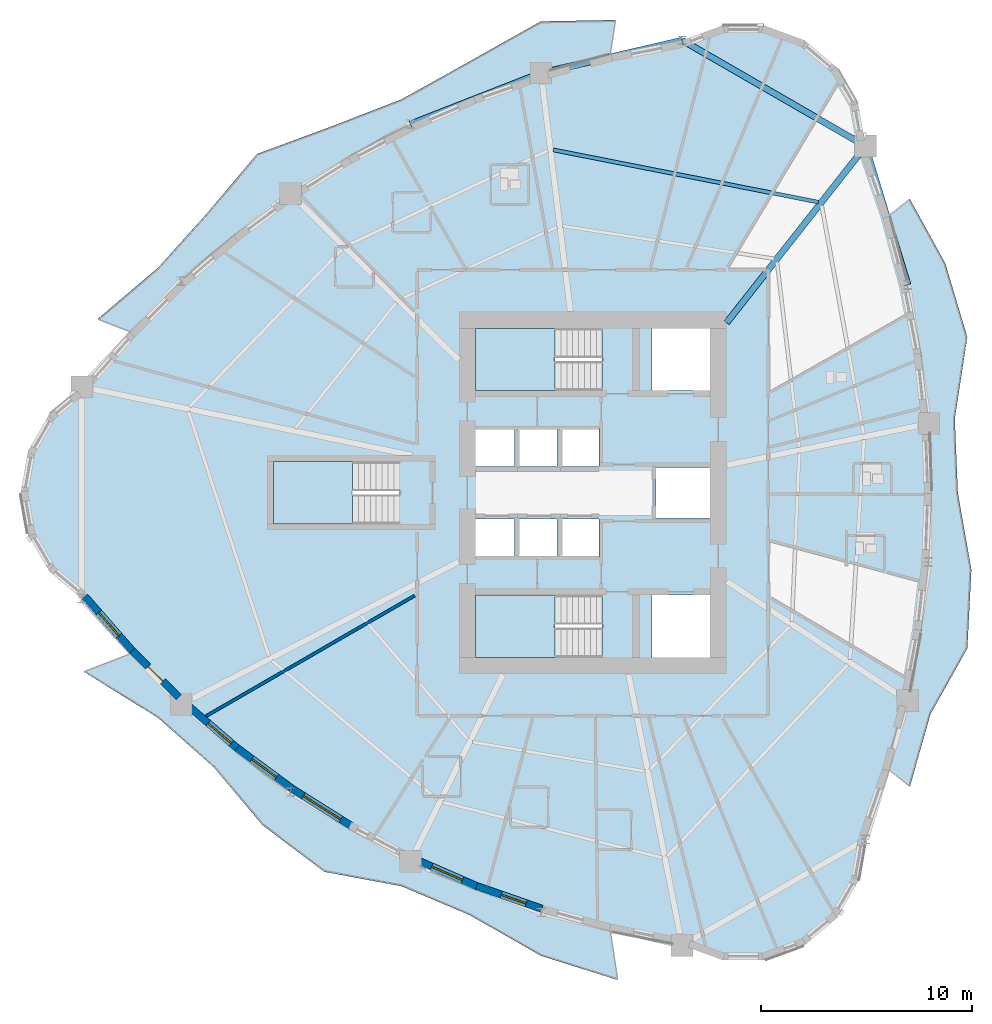
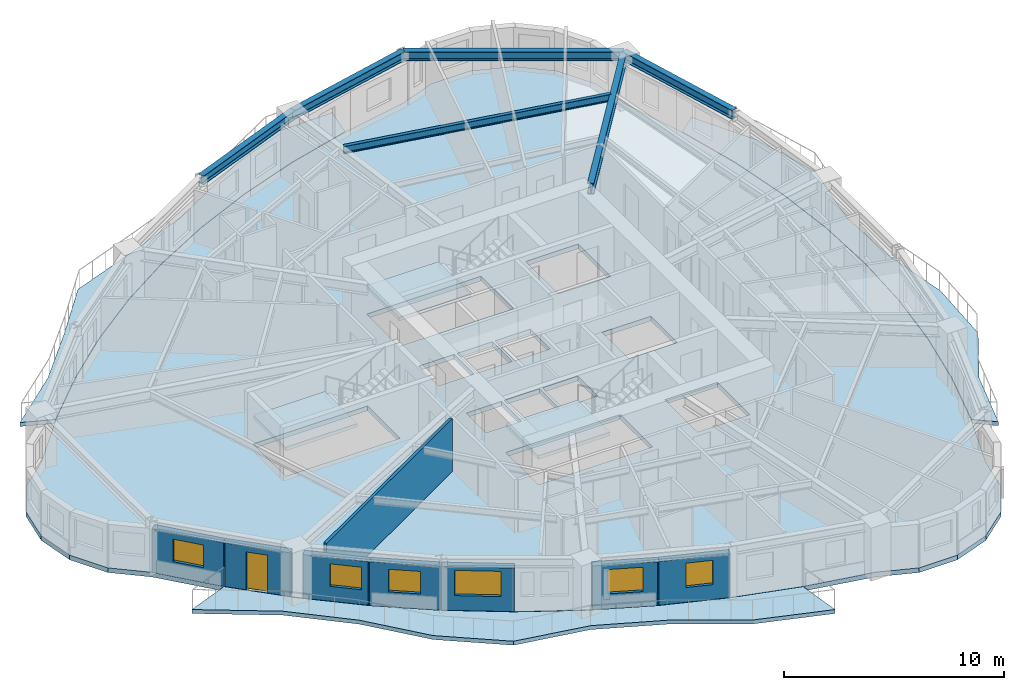
# One storey, part 2 of 13: 8 walls, 7 slabs, 6 beams, 6 windows, 1 door, 7 openings, 3 elements without a shape of their own.
"""IFC4 building model written with IfcOpenShell, lengths in metres."""

from ifc_helpers import new_model, si_unit, direction, frame, frame_2d, origin, origin_2d, place, context, subcontext, project, spatial, polyline, rectangle, i_section, outline, extrude, source, transform, mapped, material, layer, layer_set, material_profile, profile_set, type_object, element, fill, aggregate, save


model = new_model("IFC4")

# Units and contexts
model_context = context("Model", 3, precision=1e-05, world=origin(), true_north=direction((0.0, 1.0)))
body_context = subcontext(model_context, "Body", "Model", "MODEL_VIEW")
ifc_project = project(units=[si_unit("LENGTHUNIT", "METRE"), si_unit("AREAUNIT", "SQUARE_METRE"), si_unit("VOLUMEUNIT", "CUBIC_METRE"), si_unit("PLANEANGLEUNIT", "RADIAN"), si_unit("MASSUNIT", "GRAM", prefix="KILO")], contexts=[model_context])

# Site, building, storey
site_placement = place(None, origin())
site = spatial("IfcSite", under=ifc_project, at=site_placement, CompositionType="ELEMENT")
building_placement = place(site_placement, origin())
building = spatial("IfcBuilding", under=site, at=building_placement, Name="Qafzar Sky-Pleat Residences", CompositionType="ELEMENT")
storey_placement = place(building_placement, frame((0.0, 0.0, 46.199951171875)))
storey = spatial("IfcBuildingStorey", under=building, at=storey_placement, Name="L13", CompositionType="ELEMENT", Elevation=46.199951171875)

# Beams
ifc_material_1 = material(Name="Steel S355", Category="steel")
ifc_material_profile_1 = material_profile(ifc_material_1, i_section(OverallWidth=0.300048828125, OverallDepth=0.5, WebThickness=0.014404296875, FlangeThickness=0.028076171875, FilletRadius=0.027099609375, at=origin_2d()), Name="HEB 500")
ifc_profile_set_1 = profile_set([ifc_material_profile_1], Name="Steel S355")
beam_type_1 = type_object("IfcBeamType", Name="BM-SPAN-HEB500", PredefinedType="SPANDREL", material=ifc_profile_set_1)
shared_shape_1 = source(origin(), body_context, "Body", "SweptSolid", [
    extrude(i_section(OverallWidth=0.300048828125, OverallDepth=0.5, WebThickness=0.014404296875, FlangeThickness=0.028076171875, FilletRadius=0.027099609375, at=origin_2d()), origin(), (0.0, 0.0, 1.0), 10.0458984375),
])
beam_1_placement = place(storey_placement, frame((43.2900390625, 42.437255859375, 2.68798828125), z_axis=(-0.866024107753, 0.500002244785, 0.0), x_axis=(-0.500002244785, -0.866024107753, 0.0)))
element("IfcBeam", 1, at=beam_1_placement, inside=storey, type_object=beam_type_1, Name="L13 Perimeter Spandrel Beam 13", PredefinedType="SPANDREL", context=body_context, shape_type="MappedRepresentation", body=[
    mapped(shared_shape_1, transform((0.0, 0.0, 0.0), x_axis=(1.0, 0.0, 0.0), y_axis=(0.0, 1.0, 0.0), z_axis=(0.0, 0.0, 1.0), scale=1.0)),
])
shared_shape_2 = source(origin(), body_context, "Body", "SweptSolid", [
    extrude(i_section(OverallWidth=0.300048828125, OverallDepth=0.5, WebThickness=0.014404296875, FlangeThickness=0.028076171875, FilletRadius=0.027099609375, at=origin_2d()), origin(), (0.0, 0.0, 1.0), 6.8720703125),
])
for number, where, z_axis, x_axis, name in (
    (2, (45.288818359375, 35.8623046875, 2.68798828125), (-0.290856244324, 0.956766766322, 0.0), (-0.956766766322, -0.290856244324, 0.0), "L13 Perimeter Spandrel Beam 12"),
    (3, (34.590087890625, 47.460205078125, 2.68798828125), (-0.974016228914, -0.226478223705, 0.0), (0.226478223705, -0.974016228914, 0.0), "L13 Perimeter Spandrel Beam 14"),
):
    element("IfcBeam", number, at=place(storey_placement, frame(where, z_axis=z_axis, x_axis=x_axis)), inside=storey, type_object=beam_type_1, Name=name, PredefinedType="SPANDREL", context=body_context, shape_type="MappedRepresentation", body=[
        mapped(shared_shape_2, transform((0.0, 0.0, 0.0), x_axis=(1.0, 0.0, 0.0), y_axis=(0.0, 1.0, 0.0), z_axis=(0.0, 0.0, 1.0), scale=1.0)),
    ])
shared_shape_3 = source(origin(), body_context, "Body", "SweptSolid", [
    extrude(i_section(OverallWidth=0.300048828125, OverallDepth=0.5, WebThickness=0.014404296875, FlangeThickness=0.028076171875, FilletRadius=0.027099609375, at=origin_2d()), origin(), (0.0, 0.0, 1.0), 6.650390625),
])
beam_2_placement = place(storey_placement, frame((27.896484375, 45.90380859375, 2.68798828125), z_axis=(-0.931317505809, -0.364208324141, 0.0), x_axis=(0.364208324141, -0.931317505809, 0.0)))
element("IfcBeam", 4, at=beam_2_placement, inside=storey, type_object=beam_type_1, Name="L13 Perimeter Spandrel Beam 15", PredefinedType="SPANDREL", context=body_context, shape_type="MappedRepresentation", body=[
    mapped(shared_shape_3, transform((0.0, 0.0, 0.0), x_axis=(1.0, 0.0, 0.0), y_axis=(0.0, 1.0, 0.0), z_axis=(0.0, 0.0, 1.0), scale=1.0)),
])
ifc_material_profile_2 = material_profile(ifc_material_1, i_section(OverallWidth=0.300048828125, OverallDepth=0.60009765625, WebThickness=0.015380859375, FlangeThickness=0.030029296875, FilletRadius=0.027099609375, at=origin_2d()), Name="HEB 600")
ifc_profile_set_2 = profile_set([ifc_material_profile_2], Name="Steel S355")
beam_type_2 = type_object("IfcBeamType", Name="BM-GIRD-HEB600", PredefinedType="BEAM", material=ifc_profile_set_2)
shared_shape_4 = source(origin(), body_context, "Body", "SweptSolid", [
    extrude(i_section(OverallWidth=0.300048828125, OverallDepth=0.60009765625, WebThickness=0.015380859375, FlangeThickness=0.030029296875, FilletRadius=0.027099609375, at=origin_2d()), origin(), (0.0, 0.0, 1.0), 10.65380859375),
])
beam_3_placement = place(storey_placement, frame((43.2900390625, 42.437255859375, 2.637939453125), z_axis=(-0.618564121577, -0.785734323737, 0.0), x_axis=(0.785734323737, -0.618564121577, 0.0)))
element("IfcBeam", 5, at=beam_3_placement, inside=storey, type_object=beam_type_2, Name="L13 Radial Floor Girder 13", PredefinedType="BEAM", context=body_context, shape_type="MappedRepresentation", body=[
    mapped(shared_shape_4, transform((0.0, 0.0, 0.0), x_axis=(1.0, 0.0, 0.0), y_axis=(0.0, 1.0, 0.0), z_axis=(0.0, 0.0, 1.0), scale=1.0)),
])
ifc_material_profile_3 = material_profile(ifc_material_1, i_section(OverallWidth=0.179931640625, OverallDepth=0.39990234375, WebThickness=0.008544921875, FlangeThickness=0.013427734375, FilletRadius=0.02099609375, at=origin_2d()), Name="IPE 400")
ifc_profile_set_3 = profile_set([ifc_material_profile_3], Name="Steel S355")
beam_type_3 = type_object("IfcBeamType", Name="BM-JST-IPE400", PredefinedType="JOIST", material=ifc_profile_set_3)
shared_shape_5 = source(origin(), body_context, "Body", "SweptSolid", [
    extrude(i_section(OverallWidth=0.179931640625, OverallDepth=0.39990234375, WebThickness=0.008544921875, FlangeThickness=0.013427734375, FilletRadius=0.02099609375, at=origin_2d()), origin(), (0.0, 0.0, 1.0), 12.815185546875),
])
beam_4_placement = place(storey_placement, frame((41.048583984375, 39.78466796875, 2.738037109375), z_axis=(-0.981160312163, 0.19319534631, 0.0), x_axis=(-0.19319534631, -0.981160312163, 0.0)))
element("IfcBeam", 6, at=beam_4_placement, inside=storey, type_object=beam_type_3, Name="L13 Outer Secondary Floor Joist 7", PredefinedType="JOIST", context=body_context, shape_type="MappedRepresentation", body=[
    mapped(shared_shape_5, transform((0.0, 0.0, 0.0), x_axis=(1.0, 0.0, 0.0), y_axis=(0.0, 1.0, 0.0), z_axis=(0.0, 0.0, 1.0), scale=1.0)),
])

# Slabs
ifc_material_2 = material(Name="Concrete C40/50", Category="concrete")
ifc_layer_1 = layer(ifc_material_2, 0.219970703125)
ifc_layer_set_1 = layer_set([ifc_layer_1], Name="Concrete C40/50")
slab_type_1 = type_object("IfcSlabType", Name="SLAB-BAL-220", PredefinedType="USERDEFINED", material=ifc_layer_set_1)
slab_1_placement = place(storey_placement, frame((0.0, 0.0, -0.219970703125)))
element("IfcSlab", 7, at=slab_1_placement, inside=storey, type_object=slab_type_1, Name="L13 Pleated Stone Balcony 1", ObjectType="BALCONY", PredefinedType="USERDEFINED", context=body_context, shape_type="SweptSolid", body=[
    extrude(outline(polyline([(45.29931640625, 16.1318359375), (45.9248046875, 19.4208984375), (46.2998046875, 22.71044921875), (46.425048828125, 26.0), (46.2998046875, 29.28955078125), (45.9248046875, 32.5791015625), (45.29931640625, 35.8681640625), (44.423583984375, 39.1572265625), (45.389892578125, 39.93115234375), (47.069580078125, 36.878173828125), (48.11279296875, 33.382080078125), (47.518310546875, 29.508544921875), (47.6630859375, 26.0), (48.305908203125, 22.349853515625), (48.11279296875, 18.617919921875), (46.37451171875, 15.518310546875), (45.389892578125, 12.06884765625), (44.423583984375, 12.8427734375), (45.29931640625, 16.1318359375)])), origin(), (0.0, 0.0, 1.0), 0.219970703125),
])
slab_2_placement = place(storey_placement, frame((0.0, 0.0, -0.219970703125)))
element("IfcSlab", 8, at=slab_2_placement, inside=storey, type_object=slab_type_1, Name="L13 Pleated Stone Balcony 2", ObjectType="BALCONY", PredefinedType="USERDEFINED", context=body_context, shape_type="SweptSolid", body=[
    extrude(outline(polyline([(27.896484375, 45.915771484375), (24.735107421875, 44.812744140625), (21.69873046875, 43.492919921875), (18.78759765625, 41.95654296875), (16.001220703125, 40.20361328125), (13.340087890625, 38.233642578125), (10.80419921875, 36.047607421875), (8.3935546875, 33.644775390625), (6.867431640625, 34.23974609375), (9.7353515625, 36.672119140625), (12.08251953125, 39.283203125), (14.427734375, 42.06591796875), (17.968505859375, 43.375), (21.279296875, 44.65771484375), (24.455078125, 46.426513671875), (27.8837890625, 48.353759765625), (31.430419921875, 48.421142578125), (31.1826171875, 46.802001953125), (27.896484375, 45.915771484375)])), origin(), (0.0, 0.0, 1.0), 0.219970703125),
])
slab_3_placement = place(storey_placement, frame((0.0, 0.0, -0.219970703125)))
element("IfcSlab", 9, at=slab_3_placement, inside=storey, type_object=slab_type_1, Name="L13 Pleated Stone Balcony 3", ObjectType="BALCONY", PredefinedType="USERDEFINED", context=body_context, shape_type="SweptSolid", body=[
    extrude(outline(polyline([(10.80419921875, 15.952392578125), (13.340087890625, 13.766357421875), (16.001220703125, 11.79638671875), (18.78759765625, 10.04345703125), (21.69873046875, 8.507080078125), (24.735107421875, 7.187255859375), (27.896484375, 6.084228515625), (31.1826171875, 5.197998046875), (31.53515625, 2.89404296875), (27.885986328125, 4.04638671875), (24.523681640625, 5.967529296875), (21.279296875, 7.34228515625), (17.6220703125, 8.02490234375), (14.68603515625, 10.23974609375), (12.3896484375, 12.97314453125), (9.7353515625, 15.327880859375), (6.221923828125, 17.508544921875), (8.3935546875, 18.355224609375), (10.80419921875, 15.952392578125)])), origin(), (0.0, 0.0, 1.0), 0.219970703125),
])
ifc_layer_2 = layer(ifc_material_2, 0.260009765625)
ifc_layer_set_2 = layer_set([ifc_layer_2], Name="Concrete C40/50")
slab_type_2 = type_object("IfcSlabType", Name="SLAB-FLR-260", PredefinedType="FLOOR", material=ifc_layer_set_2)
slab_4_placement = place(storey_placement, frame((0.0, 0.0, -0.260009765625)))
element("IfcSlab", 10, at=slab_4_placement, inside=storey, type_object=slab_type_2, Name="L13 Structural Floor Slab", PredefinedType="FLOOR", context=body_context, shape_type="SweptSolid", body=[
    extrude(outline(polyline([(6.1201171875, 31.02294921875), (4.576904296875, 29.728271484375), (3.56982421875, 27.983642578125), (3.219970703125, 26.0), (3.56982421875, 24.016357421875), (4.576904296875, 22.271728515625), (6.1201171875, 20.97705078125), (8.40478515625, 18.359619140625), (10.814697265625, 15.95849609375), (13.349365234375, 13.77392578125), (16.0087890625, 11.8056640625), (18.79345703125, 10.0537109375), (21.702880859375, 8.518310546875), (24.7373046875, 7.19921875), (27.896484375, 6.09619140625), (31.180908203125, 5.2099609375), (34.590087890625, 4.539794921875), (36.48291015625, 3.85107421875), (38.497314453125, 3.85107421875), (40.389892578125, 4.539794921875), (41.93310546875, 5.834716796875), (42.940185546875, 7.5791015625), (43.2900390625, 9.562744140625), (44.414306640625, 12.850341796875), (45.288818359375, 16.1376953125), (45.913330078125, 19.425048828125), (46.2880859375, 22.712646484375), (46.4130859375, 26.0), (46.2880859375, 29.287353515625), (45.913330078125, 32.574951171875), (45.288818359375, 35.8623046875), (44.414306640625, 39.149658203125), (43.2900390625, 42.437255859375), (42.940185546875, 44.4208984375), (41.93310546875, 46.165283203125), (40.389892578125, 47.460205078125), (38.497314453125, 48.14892578125), (36.48291015625, 48.14892578125), (34.590087890625, 47.460205078125), (31.180908203125, 46.7900390625), (27.896484375, 45.90380859375), (24.7373046875, 44.80078125), (21.702880859375, 43.481689453125), (18.79345703125, 41.9462890625), (16.0087890625, 40.1943359375), (13.349365234375, 38.22607421875), (10.814697265625, 36.04150390625), (8.40478515625, 33.640380859375), (6.1201171875, 31.02294921875)]), holes=[polyline([(30.797119140625, 21.14990234375), (24.800048828125, 21.14990234375), (24.800048828125, 18.199951171875), (30.797119140625, 18.199951171875), (30.797119140625, 21.14990234375)]), polyline([(30.797119140625, 33.800048828125), (24.800048828125, 33.800048828125), (24.800048828125, 30.85009765625), (30.797119140625, 30.85009765625), (30.797119140625, 33.800048828125)]), polyline([(21.197021484375, 27.47509765625), (15.199951171875, 27.47509765625), (15.199951171875, 24.52490234375), (21.197021484375, 24.52490234375), (21.197021484375, 27.47509765625)]), polyline([(24.800048828125, 22.949951171875), (26.64990234375, 22.949951171875), (26.64990234375, 24.75), (24.800048828125, 24.75), (24.800048828125, 22.949951171875)]), polyline([(26.800048828125, 22.949951171875), (28.64990234375, 22.949951171875), (28.64990234375, 24.75), (26.800048828125, 24.75), (26.800048828125, 22.949951171875)]), polyline([(28.800048828125, 22.949951171875), (30.64990234375, 22.949951171875), (30.64990234375, 24.75), (28.800048828125, 24.75), (28.800048828125, 22.949951171875)]), polyline([(24.800048828125, 27.25), (26.64990234375, 27.25), (26.64990234375, 29.050048828125), (24.800048828125, 29.050048828125), (24.800048828125, 27.25)]), polyline([(26.800048828125, 27.25), (28.64990234375, 27.25), (28.64990234375, 29.050048828125), (26.800048828125, 29.050048828125), (26.800048828125, 27.25)]), polyline([(28.800048828125, 27.25), (30.64990234375, 27.25), (30.64990234375, 29.050048828125), (28.800048828125, 29.050048828125), (28.800048828125, 27.25)]), polyline([(33.14990234375, 18.199951171875), (35.89990234375, 18.199951171875), (35.89990234375, 21.14990234375), (33.14990234375, 21.14990234375), (33.14990234375, 18.199951171875)]), polyline([(33.14990234375, 30.85009765625), (35.89990234375, 30.85009765625), (35.89990234375, 33.800048828125), (33.14990234375, 33.800048828125), (33.14990234375, 30.85009765625)]), polyline([(33.35009765625, 24.800048828125), (35.89990234375, 24.800048828125), (35.89990234375, 27.199951171875), (33.35009765625, 27.199951171875), (33.35009765625, 24.800048828125)])]), origin(), (0.0, 0.0, 1.0), 0.260009765625),
])

# Stair, slab
stair_type = type_object("IfcStairType", Name="STAIR-H320", PredefinedType="HALF_TURN_STAIR", material=ifc_material_2)
stair_1_placement = place(storey_placement, origin())
stair_1 = element("IfcStair", 11, at=stair_1_placement, inside=storey, type_object=stair_type, Name="L13 Protected Exit Stair ST1", PredefinedType="HALF_TURN_STAIR")
ifc_layer_3 = layer(ifc_material_2, 0.199951171875)
ifc_layer_set_3 = layer_set([ifc_layer_3], Name="Concrete C40/50")
slab_type_3 = type_object("IfcSlabType", Name="SLAB-LANDING-200", PredefinedType="LANDING", material=ifc_layer_set_3)
slab_5_placement = place(storey_placement, frame((0.0, 0.0, 1.400146484375)))
slab_5 = element("IfcSlab", 12, at=slab_5_placement, type_object=slab_type_3, Name="ST1 landing 1", PredefinedType="LANDING", context=body_context, shape_type="SweptSolid", body=[
    extrude(outline(polyline([(28.56005859375, 21.14990234375), (24.800048828125, 21.14990234375), (24.800048828125, 18.199951171875), (28.56005859375, 18.199951171875), (28.56005859375, 21.14990234375)])), origin(), (0.0, 0.0, 1.0), 0.199951171875),
])
aggregate(stair_1, [slab_5])

stair_2_placement = place(storey_placement, origin())
stair_2 = element("IfcStair", 13, at=stair_2_placement, inside=storey, type_object=stair_type, Name="L13 Protected Exit Stair ST2", PredefinedType="HALF_TURN_STAIR")
slab_6_placement = place(storey_placement, frame((0.0, 0.0, 1.400146484375)))
slab_6 = element("IfcSlab", 14, at=slab_6_placement, type_object=slab_type_3, Name="ST2 landing 1", PredefinedType="LANDING", context=body_context, shape_type="SweptSolid", body=[
    extrude(outline(polyline([(28.56005859375, 33.800048828125), (24.800048828125, 33.800048828125), (24.800048828125, 30.85009765625), (28.56005859375, 30.85009765625), (28.56005859375, 33.800048828125)])), origin(), (0.0, 0.0, 1.0), 0.199951171875),
])
aggregate(stair_2, [slab_6])

stair_3_placement = place(storey_placement, origin())
stair_3 = element("IfcStair", 15, at=stair_3_placement, inside=storey, type_object=stair_type, Name="L13 Protected Exit Stair ST3", PredefinedType="HALF_TURN_STAIR")
slab_7_placement = place(storey_placement, frame((0.0, 0.0, 1.400146484375)))
slab_7 = element("IfcSlab", 16, at=slab_7_placement, type_object=slab_type_3, Name="ST3 landing 1", PredefinedType="LANDING", context=body_context, shape_type="SweptSolid", body=[
    extrude(outline(polyline([(18.9599609375, 27.47509765625), (15.199951171875, 27.47509765625), (15.199951171875, 24.52490234375), (18.9599609375, 24.52490234375), (18.9599609375, 27.47509765625)])), origin(), (0.0, 0.0, 1.0), 0.199951171875),
])
aggregate(stair_3, [slab_7])

# Wall
ifc_material_3 = material(Name="Acoustic gypsum plasterboard partition", Category="gypsum")
ifc_layer_4 = layer(ifc_material_3, 0.14501953125)
ifc_layer_set_4 = layer_set([ifc_layer_4], Name="Acoustic gypsum plasterboard partition")
wall_type_1 = type_object("IfcWallType", Name="PART-UNIT-145", PredefinedType="PARTITIONING", material=ifc_layer_set_4)
wall_1_placement = place(storey_placement, frame((12.0087890625, 15.406494140625, 0.0), z_axis=(0.0, 0.0, 1.0), x_axis=(0.865925986209, 0.500172156771, 0.0)))
element("IfcWall", 17, at=wall_1_placement, inside=storey, type_object=wall_type_1, Name="L13 Partition Wall PART-L13-PW-033", PredefinedType="PARTITIONING", context=body_context, shape_type="SweptSolid", body=[
    extrude(rectangle(XDim=11.4189453125, YDim=0.14501953125, at=frame_2d((5.70947265625, 0.0))), origin(), (0.0, 0.0, 1.0), 2.93994140625),
])

# Wall, opening, window
ifc_material_4 = material(Name="Precast concrete C40/50 with honed Riyadh limestone", Category="concrete")
ifc_layer_5 = layer(ifc_material_4, 0.35009765625)
ifc_layer_set_5 = layer_set([ifc_layer_5], Name="Precast concrete C40/50 with honed Riyadh limestone")
wall_type_2 = type_object("IfcWallType", Name="WALL-EXT-350", PredefinedType="SOLIDWALL", material=ifc_layer_set_5)
wall_2_placement = place(storey_placement, frame((6.264892578125, 21.0771484375, 0.0), z_axis=(0.0, 0.0, 1.0), x_axis=(0.657633089408, -0.753338383275, 0.0)))
wall_2 = element("IfcWall", 18, at=wall_2_placement, inside=storey, type_object=wall_type_2, Name="L13 Limestone Facade Wall 7", PredefinedType="SOLIDWALL", context=body_context, shape_type="SweptSolid", body=[
    extrude(rectangle(XDim=3.4921875, YDim=0.35009765625, at=frame_2d((1.74609375, 0.0))), origin(), (0.0, 0.0, 1.0), 2.420166015625),
])
opening_1_placement = place(wall_2_placement, frame((1.01123046875, 0.0, 0.820068359375)))
opening_1 = element("IfcOpeningElement", 19, at=opening_1_placement, cuts=wall_2, Name="Opening WN-15", PredefinedType="OPENING", context=body_context, shape_type="SweptSolid", body=[
    extrude(rectangle(XDim=1.449951171875, YDim=1.25, at=frame_2d((0.72509765625, 0.625))), frame((0.0, 0.18505859375, 0.0), z_axis=(0.0, -1.0, 0.0), x_axis=(1.0, 0.0, 0.0)), (0.0, 0.0, 1.0), 0.3701171875),
])
ifc_material_5 = material(Name="Solar-control low-E glass in bronze aluminium frame", Category="glass")
window_type_1 = type_object("IfcWindowType", Name="WIN-15", PartitioningType="SINGLE_PANEL", PredefinedType="WINDOW", material=ifc_material_5)
shared_shape_6 = source(origin(), body_context, "Body", "SweptSolid", [
    extrude(rectangle(XDim=1.449951171875, YDim=1.25, at=frame_2d((0.72509765625, 0.625))), frame((0.0, 0.030029296875, 0.0), z_axis=(0.0, -1.0, 0.0), x_axis=(1.0, 0.0, 0.0)), (0.0, 0.0, 1.0), 0.06005859375),
])
window_1_placement = place(opening_1_placement, origin())
window_1 = element("IfcWindow", 20, at=window_1_placement, inside=storey, type_object=window_type_1, Name="L13 Punched Facade Window 07", OverallHeight=1.25, OverallWidth=1.449951171875, PartitioningType="SINGLE_PANEL", PredefinedType="WINDOW", context=body_context, shape_type="MappedRepresentation", body=[
    mapped(shared_shape_6, transform((0.0, 0.0, 0.0), x_axis=(1.0, 0.0, 0.0), y_axis=(0.0, 1.0, 0.0), z_axis=(0.0, 0.0, 1.0), scale=1.0)),
])
fill(opening_1, window_1)

# Wall, opening, door
wall_3_placement = place(storey_placement, frame((8.50146484375, 18.510498046875, 0.0), z_axis=(0.0, 0.0, 1.0), x_axis=(0.708349769787, -0.705861603746, 0.0)))
wall_3 = element("IfcWall", 21, at=wall_3_placement, inside=storey, type_object=wall_type_2, Name="L13 Limestone Facade Wall 8", PredefinedType="SOLIDWALL", context=body_context, shape_type="SweptSolid", body=[
    extrude(rectangle(XDim=3.139892578125, YDim=0.35009765625, at=frame_2d((1.56982421875, 0.0))), origin(), (0.0, 0.0, 1.0), 2.420166015625),
])
opening_2_placement = place(wall_3_placement, frame((1.06982421875, 0.0, 0.0)))
opening_2 = element("IfcOpeningElement", 22, at=opening_2_placement, cuts=wall_3, Name="Opening ED-05", PredefinedType="OPENING", context=body_context, shape_type="SweptSolid", body=[
    extrude(rectangle(XDim=1.0, YDim=2.10009765625, at=frame_2d((0.5, 1.050048828125))), frame((0.0, 0.18505859375, 0.0), z_axis=(0.0, -1.0, 0.0), x_axis=(1.0, 0.0, 0.0)), (0.0, 0.0, 1.0), 0.3701171875),
])
ifc_material_6 = material(Name="Glazed bronze aluminium door", Category="aluminium")
door_type = type_object("IfcDoorType", Name="DR-BAL-1000", OperationType="NOTDEFINED", PredefinedType="DOOR", material=ifc_material_6)
shared_shape_7 = source(origin(), body_context, "Body", "SweptSolid", [
    extrude(rectangle(XDim=1.0, YDim=2.10009765625, at=frame_2d((0.5, 1.050048828125))), frame((0.0, 0.02490234375, 0.0), z_axis=(0.0, -1.0, 0.0), x_axis=(1.0, 0.0, 0.0)), (0.0, 0.0, 1.0), 0.050048828125),
])
door_placement = place(opening_2_placement, origin())
door = element("IfcDoor", 23, at=door_placement, inside=storey, type_object=door_type, Name="L13 Glazed Balcony Door 3", OperationType="SINGLE_SWING_LEFT", OverallHeight=2.10009765625, OverallWidth=1.0, PredefinedType="DOOR", context=body_context, shape_type="MappedRepresentation", body=[
    mapped(shared_shape_7, transform((0.0, 0.0, 0.0), x_axis=(1.0, 0.0, 0.0), y_axis=(0.0, 1.0, 0.0), z_axis=(0.0, 0.0, 1.0), scale=1.0)),
])
fill(opening_2, door)

# Wall, opening, window
wall_4_placement = place(storey_placement, frame((11.156005859375, 15.895263671875, 0.0), z_axis=(0.0, 0.0, 1.0), x_axis=(0.757493652432, -0.652842528123, 0.0)))
wall_4 = element("IfcWall", 24, at=wall_4_placement, inside=storey, type_object=wall_type_2, Name="L13 Limestone Facade Wall 9", PredefinedType="SOLIDWALL", context=body_context, shape_type="SweptSolid", body=[
    extrude(rectangle(XDim=3.083984375, YDim=0.35009765625, at=frame_2d((1.5419921875, 0.0))), origin(), (0.0, 0.0, 1.0), 2.420166015625),
])
opening_3_placement = place(wall_4_placement, frame((1.256103515625, 0.0, 0.820068359375)))
opening_3 = element("IfcOpeningElement", 25, at=opening_3_placement, cuts=wall_4, Name="Opening WN-15", PredefinedType="OPENING", context=body_context, shape_type="SweptSolid", body=[
    extrude(rectangle(XDim=1.449951171875, YDim=1.25, at=frame_2d((0.72509765625, 0.625))), frame((0.0, 0.18505859375, 0.0), z_axis=(0.0, -1.0, 0.0), x_axis=(1.0, 0.0, 0.0)), (0.0, 0.0, 1.0), 0.3701171875),
])
window_2_placement = place(opening_3_placement, origin())
window_2 = element("IfcWindow", 26, at=window_2_placement, inside=storey, type_object=window_type_1, Name="L13 Punched Facade Window 09-2", OverallHeight=1.25, OverallWidth=1.449951171875, PartitioningType="SINGLE_PANEL", PredefinedType="WINDOW", context=body_context, shape_type="MappedRepresentation", body=[
    mapped(shared_shape_6, transform((0.0, 0.0, 0.0), x_axis=(1.0, 0.0, 0.0), y_axis=(0.0, 1.0, 0.0), z_axis=(0.0, 0.0, 1.0), scale=1.0)),
])
fill(opening_3, window_2)

wall_5_placement = place(storey_placement, frame((13.4228515625, 13.937255859375, 0.0), z_axis=(0.0, 0.0, 1.0), x_axis=(0.803814527371, -0.594879992593, 0.0)))
wall_5 = element("IfcWall", 27, at=wall_5_placement, inside=storey, type_object=wall_type_2, Name="L13 Limestone Facade Wall 10", PredefinedType="SOLIDWALL", context=body_context, shape_type="SweptSolid", body=[
    extrude(rectangle(XDim=3.32666015625, YDim=0.35009765625, at=frame_2d((1.663330078125, 0.0))), origin(), (0.0, 0.0, 1.0), 2.420166015625),
])
opening_4_placement = place(wall_5_placement, frame((0.948486328125, 0.0, 0.820068359375)))
opening_4 = element("IfcOpeningElement", 28, at=opening_4_placement, cuts=wall_5, Name="Opening WN-15", PredefinedType="OPENING", context=body_context, shape_type="SweptSolid", body=[
    extrude(rectangle(XDim=1.449951171875, YDim=1.25, at=frame_2d((0.72509765625, 0.625))), frame((0.0, 0.18505859375, 0.0), z_axis=(0.0, -1.0, 0.0), x_axis=(1.0, 0.0, 0.0)), (0.0, 0.0, 1.0), 0.3701171875),
])
window_3_placement = place(opening_4_placement, origin())
window_3 = element("IfcWindow", 29, at=window_3_placement, inside=storey, type_object=window_type_1, Name="L13 Punched Facade Window 10", OverallHeight=1.25, OverallWidth=1.449951171875, PartitioningType="SINGLE_PANEL", PredefinedType="WINDOW", context=body_context, shape_type="MappedRepresentation", body=[
    mapped(shared_shape_6, transform((0.0, 0.0, 0.0), x_axis=(1.0, 0.0, 0.0), y_axis=(0.0, 1.0, 0.0), z_axis=(0.0, 0.0, 1.0), scale=1.0)),
])
fill(opening_4, window_3)

wall_6_placement = place(storey_placement, frame((16.118896484375, 11.943115234375, 0.0), z_axis=(0.0, 0.0, 1.0), x_axis=(0.846439828925, -0.532484381, 0.0)))
wall_6 = element("IfcWall", 30, at=wall_6_placement, inside=storey, type_object=wall_type_2, Name="L13 Limestone Facade Wall 11", PredefinedType="SOLIDWALL", context=body_context, shape_type="SweptSolid", body=[
    extrude(rectangle(XDim=3.30810546875, YDim=0.35009765625, at=frame_2d((1.654052734375, 0.0))), origin(), (0.0, 0.0, 1.0), 2.420166015625),
])
opening_5_placement = place(wall_6_placement, frame((0.593994140625, 0.0, 0.820068359375)))
opening_5 = element("IfcOpeningElement", 31, at=opening_5_placement, cuts=wall_6, Name="Opening WN-07", PredefinedType="OPENING", context=body_context, shape_type="SweptSolid", body=[
    extrude(rectangle(XDim=2.10009765625, YDim=1.39990234375, at=frame_2d((1.050048828125, 0.699951171875))), frame((0.0, 0.18505859375, 0.0), z_axis=(0.0, -1.0, 0.0), x_axis=(1.0, 0.0, 0.0)), (0.0, 0.0, 1.0), 0.3701171875),
])
window_type_2 = type_object("IfcWindowType", Name="WIN-07", PartitioningType="DOUBLE_PANEL_VERTICAL", PredefinedType="WINDOW", material=ifc_material_5)
shared_shape_8 = source(origin(), body_context, "Body", "SweptSolid", [
    extrude(rectangle(XDim=2.10009765625, YDim=1.39990234375, at=frame_2d((1.050048828125, 0.699951171875))), frame((0.0, 0.030029296875, 0.0), z_axis=(0.0, -1.0, 0.0), x_axis=(1.0, 0.0, 0.0)), (0.0, 0.0, 1.0), 0.06005859375),
])
window_4_placement = place(opening_5_placement, origin())
window_4 = element("IfcWindow", 32, at=window_4_placement, inside=storey, type_object=window_type_2, Name="L13 Punched Facade Window 11", OverallHeight=1.39990234375, OverallWidth=2.10009765625, PartitioningType="SINGLE_PANEL", PredefinedType="WINDOW", context=body_context, shape_type="MappedRepresentation", body=[
    mapped(shared_shape_8, transform((0.0, 0.0, 0.0), x_axis=(1.0, 0.0, 0.0), y_axis=(0.0, 1.0, 0.0), z_axis=(0.0, 0.0, 1.0), scale=1.0)),
])
fill(opening_5, window_4)

wall_7_placement = place(storey_placement, frame((22.0478515625, 8.55908203125, 0.0), z_axis=(0.0, 0.0, 1.0), x_axis=(0.9170891658, -0.398682156576, 0.0)))
wall_7 = element("IfcWall", 33, at=wall_7_placement, inside=storey, type_object=wall_type_2, Name="L13 Limestone Facade Wall 13", PredefinedType="SOLIDWALL", context=body_context, shape_type="SweptSolid", body=[
    extrude(rectangle(XDim=3.046630859375, YDim=0.35009765625, at=frame_2d((1.5234375, 0.0))), origin(), (0.0, 0.0, 1.0), 2.420166015625),
])
opening_6_placement = place(wall_7_placement, frame((0.718505859375, 0.0, 0.820068359375)))
opening_6 = element("IfcOpeningElement", 34, at=opening_6_placement, cuts=wall_7, Name="Opening WN-09", PredefinedType="OPENING", context=body_context, shape_type="SweptSolid", body=[
    extrude(rectangle(XDim=1.60009765625, YDim=1.35009765625, at=frame_2d((0.800048828125, 0.675048828125))), frame((0.0, 0.18505859375, 0.0), z_axis=(0.0, -1.0, 0.0), x_axis=(1.0, 0.0, 0.0)), (0.0, 0.0, 1.0), 0.3701171875),
])
window_type_3 = type_object("IfcWindowType", Name="WIN-09", PartitioningType="DOUBLE_PANEL_VERTICAL", PredefinedType="WINDOW", material=ifc_material_5)
shared_shape_9 = source(origin(), body_context, "Body", "SweptSolid", [
    extrude(rectangle(XDim=1.60009765625, YDim=1.35009765625, at=frame_2d((0.800048828125, 0.675048828125))), frame((0.0, 0.030029296875, 0.0), z_axis=(0.0, -1.0, 0.0), x_axis=(1.0, 0.0, 0.0)), (0.0, 0.0, 1.0), 0.06005859375),
])
window_5_placement = place(opening_6_placement, origin())
window_5 = element("IfcWindow", 35, at=window_5_placement, inside=storey, type_object=window_type_3, Name="L13 Punched Facade Window 13", OverallHeight=1.35009765625, OverallWidth=1.60009765625, PartitioningType="SINGLE_PANEL", PredefinedType="WINDOW", context=body_context, shape_type="MappedRepresentation", body=[
    mapped(shared_shape_9, transform((0.0, 0.0, 0.0), x_axis=(1.0, 0.0, 0.0), y_axis=(0.0, 1.0, 0.0), z_axis=(0.0, 0.0, 1.0), scale=1.0)),
])
fill(opening_6, window_5)

wall_8_placement = place(storey_placement, frame((24.759033203125, 7.376708984375, 0.0), z_axis=(0.0, 0.0, 1.0), x_axis=(0.94414085716, -0.329542170051, 0.0)))
wall_8 = element("IfcWall", 36, at=wall_8_placement, inside=storey, type_object=wall_type_2, Name="L13 Limestone Facade Wall 14", PredefinedType="SOLIDWALL", context=body_context, shape_type="SweptSolid", body=[
    extrude(rectangle(XDim=3.3642578125, YDim=0.35009765625, at=frame_2d((1.68212890625, 0.0))), origin(), (0.0, 0.0, 1.0), 2.420166015625),
])
opening_7_placement = place(wall_8_placement, frame((1.323974609375, 0.0, 0.820068359375)))
opening_7 = element("IfcOpeningElement", 37, at=opening_7_placement, cuts=wall_8, Name="Opening WN-11", PredefinedType="OPENING", context=body_context, shape_type="SweptSolid", body=[
    extrude(rectangle(XDim=1.25, YDim=1.35009765625, at=frame_2d((0.625, 0.675048828125))), frame((0.0, 0.18505859375, 0.0), z_axis=(0.0, -1.0, 0.0), x_axis=(1.0, 0.0, 0.0)), (0.0, 0.0, 1.0), 0.3701171875),
])
window_type_4 = type_object("IfcWindowType", Name="WIN-11", PartitioningType="SINGLE_PANEL", PredefinedType="WINDOW", material=ifc_material_5)
shared_shape_10 = source(origin(), body_context, "Body", "SweptSolid", [
    extrude(rectangle(XDim=1.25, YDim=1.35009765625, at=frame_2d((0.625, 0.675048828125))), frame((0.0, 0.030029296875, 0.0), z_axis=(0.0, -1.0, 0.0), x_axis=(1.0, 0.0, 0.0)), (0.0, 0.0, 1.0), 0.06005859375),
])
window_6_placement = place(opening_7_placement, origin())
window_6 = element("IfcWindow", 38, at=window_6_placement, inside=storey, type_object=window_type_4, Name="L13 Punched Facade Window 14-2", OverallHeight=1.35009765625, OverallWidth=1.25, PartitioningType="SINGLE_PANEL", PredefinedType="WINDOW", context=body_context, shape_type="MappedRepresentation", body=[
    mapped(shared_shape_10, transform((0.0, 0.0, 0.0), x_axis=(1.0, 0.0, 0.0), y_axis=(0.0, 1.0, 0.0), z_axis=(0.0, 0.0, 1.0), scale=1.0)),
])
fill(opening_7, window_6)

save(model, "model.ifc")
